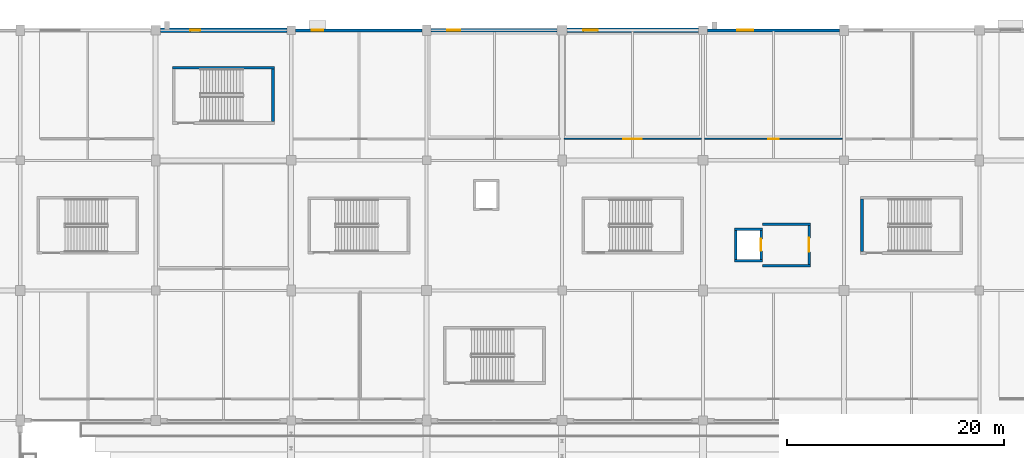
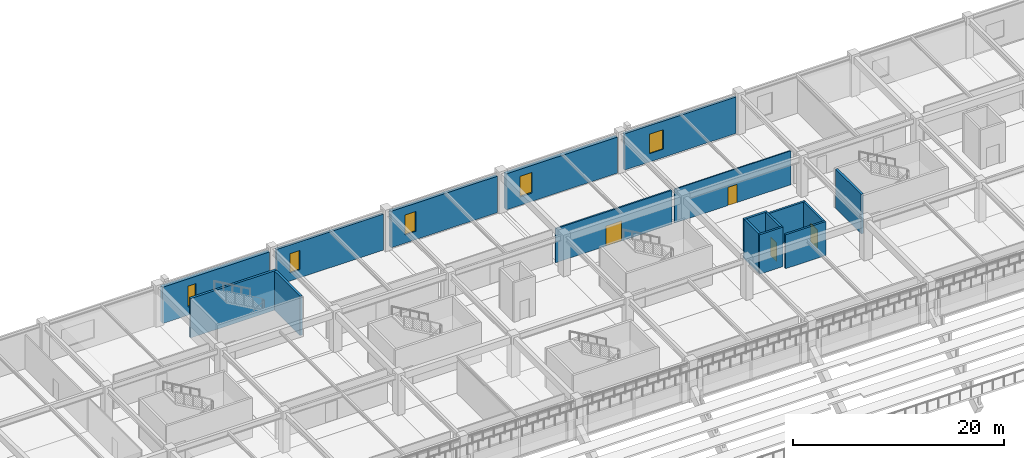
# One storey, part 90 of 134: 17 walls, 5 windows, 4 doors, 9 openings.
"""IFC4 building model written with IfcOpenShell, lengths in metres."""

from ifc_helpers import new_model, si_unit, direction, frame, frame_2d, origin, place, context, subcontext, project, spatial, rectangle, extrude, material, layer, layer_set, type_object, element, fill, save


model = new_model("IFC4")

# Units and contexts
model_context = context("Model", 3, precision=1e-05, world=origin(), true_north=direction((0.0, 1.0)))
body_context = subcontext(model_context, "Body", "Model", "MODEL_VIEW")
ifc_project = project(units=[si_unit("LENGTHUNIT", "METRE"), si_unit("AREAUNIT", "SQUARE_METRE"), si_unit("VOLUMEUNIT", "CUBIC_METRE"), si_unit("PLANEANGLEUNIT", "RADIAN"), si_unit("MASSUNIT", "GRAM", prefix="KILO")], contexts=[model_context])

# Site, building, storey
site_placement = place(None, origin())
site = spatial("IfcSite", under=ifc_project, at=site_placement, CompositionType="ELEMENT")
building_placement = place(site_placement, origin())
building = spatial("IfcBuilding", under=site, at=building_placement, Name="Kazenohara Klinker Stadium", CompositionType="ELEMENT")
storey_placement = place(building_placement, frame((0.0, 0.0, 5.39990234375)))
storey = spatial("IfcBuildingStorey", under=building, at=storey_placement, Name="L01", CompositionType="ELEMENT", Elevation=5.39990234375)

# Walls
ifc_material_1 = material(Name="Concrete C40/50", Category="concrete")
ifc_layer_1 = layer(ifc_material_1, 0.22998046875)
ifc_layer_set_1 = layer_set([ifc_layer_1], Name="Concrete C40/50")
wall_type_1 = type_object("IfcWallType", Name="WAL-CORE-230", PredefinedType="SHEAR", material=ifc_layer_set_1)
for number, where, z_axis, x_axis, name in (
    (1, (114.919921875, 146.735107421875, 0.0), (0.0, 0.0, 1.0), (1.0, 0.0, 0.0), "Elevator shaft wall LF04 L01 South"),
    (2, (114.919921875, 149.6650390625, 0.0), (0.0, 0.0, 1.0), (1.0, 0.0, 0.0), "Elevator shaft wall LF04 L01 North"),
):
    element("IfcWall", number, at=place(storey_placement, frame(where, z_axis=z_axis, x_axis=x_axis)), inside=storey, type_object=wall_type_1, Name=name, PredefinedType="SHEAR", context=body_context, shape_type="SweptSolid", body=[
        extrude(rectangle(XDim=2.56005859375, YDim=0.22998046875, at=frame_2d((1.280029296875, 0.0))), origin(), (0.0, 0.0, 1.0), 4.550048828125),
    ])
wall_1_placement = place(storey_placement, frame((115.034912109375, 146.85009765625, 0.0), z_axis=(0.0, 0.0, 1.0), x_axis=(0.0, 1.0, 0.0)))
element("IfcWall", 3, at=wall_1_placement, inside=storey, type_object=wall_type_1, Name="Elevator shaft wall LF04 L01 West", PredefinedType="SHEAR", context=body_context, shape_type="SweptSolid", body=[
    extrude(rectangle(XDim=2.699951171875, YDim=0.22998046875, at=frame_2d((1.35009765625, 0.0))), origin(), (0.0, 0.0, 1.0), 4.550048828125),
])

# Wall, opening, door
wall_2_placement = place(storey_placement, frame((117.364990234375, 146.85009765625, 0.0), z_axis=(0.0, 0.0, 1.0), x_axis=(0.0, 1.0, 0.0)))
wall_2 = element("IfcWall", 4, at=wall_2_placement, inside=storey, type_object=wall_type_1, Name="Elevator shaft wall LF04 L01 East", PredefinedType="SHEAR", context=body_context, shape_type="SweptSolid", body=[
    extrude(rectangle(XDim=2.699951171875, YDim=0.22998046875, at=frame_2d((1.35009765625, 0.0))), origin(), (0.0, 0.0, 1.0), 4.550048828125),
])
opening_1_placement = place(wall_2_placement, frame((0.800048828125, 0.0, 0.0)))
opening_1 = element("IfcOpeningElement", 5, at=opening_1_placement, cuts=wall_2, Name="Opening LD01", PredefinedType="OPENING", context=body_context, shape_type="SweptSolid", body=[
    extrude(rectangle(XDim=1.10009765625, YDim=2.14990234375, at=frame_2d((0.550048828125, 1.074951171875))), frame((0.0, 0.125, 0.0), z_axis=(0.0, -1.0, 0.0), x_axis=(1.0, 0.0, 0.0)), (0.0, 0.0, 1.0), 0.25),
])
ifc_material_2 = material(Name="Stainless steel fire-rated sliding landing door", Category="steel")
door_type_1 = type_object("IfcDoorType", Name="DR-LD01-1100x2150", OperationType="NOTDEFINED", PredefinedType="DOOR", material=ifc_material_2)
door_1_placement = place(opening_1_placement, origin())
door_1 = element("IfcDoor", 6, at=door_1_placement, inside=storey, type_object=door_type_1, Name="Elevator sliding landing door LF04-L01", OperationType="DOUBLE_DOOR_SLIDING", OverallHeight=2.14990234375, OverallWidth=1.10009765625, PredefinedType="DOOR", context=body_context, shape_type="SweptSolid", body=[
    extrude(rectangle(XDim=1.10009765625, YDim=2.14990234375, at=frame_2d((0.550048828125, 1.074951171875))), frame((0.0, 0.02490234375, 0.0), z_axis=(0.0, -1.0, 0.0), x_axis=(1.0, 0.0, 0.0)), (0.0, 0.0, 1.0), 0.050048828125),
])
fill(opening_1, door_1)

# Walls
ifc_layer_2 = layer(ifc_material_1, 0.25)
ifc_layer_set_2 = layer_set([ifc_layer_2], Name="Concrete C40/50")
wall_type_2 = type_object("IfcWallType", Name="WAL-CORE-250", PredefinedType="SHEAR", material=ifc_layer_set_2)
wall_3_placement = place(storey_placement, frame((126.675048828125, 147.580078125, 0.0), z_axis=(0.0, 0.0, 1.0), x_axis=(0.0, 1.0, 0.0)))
element("IfcWall", 7, at=wall_3_placement, inside=storey, type_object=wall_type_2, Name="Stairwell shear wall ST11 L01 West", PredefinedType="SHEAR", context=body_context, shape_type="SweptSolid", body=[
    extrude(rectangle(XDim=4.83984375, YDim=0.25, at=frame_2d((2.419921875, 0.0))), origin(), (0.0, 0.0, 1.0), 4.550048828125),
])
wall_4_placement = place(storey_placement, frame((63.050048828125, 164.544921875, 0.0), z_axis=(0.0, 0.0, 1.0), x_axis=(1.0, 0.0, 0.0)))
element("IfcWall", 8, at=wall_4_placement, inside=storey, type_object=wall_type_2, Name="Stairwell shear wall ST15 L01 North", PredefinedType="SHEAR", context=body_context, shape_type="SweptSolid", body=[
    extrude(rectangle(XDim=9.39990234375, YDim=0.25, at=frame_2d((4.699951171875, 0.0))), origin(), (0.0, 0.0, 1.0), 4.550048828125),
])
wall_5_placement = place(storey_placement, frame((72.324951171875, 159.580078125, 0.0), z_axis=(0.0, 0.0, 1.0), x_axis=(0.0, 1.0, 0.0)))
element("IfcWall", 9, at=wall_5_placement, inside=storey, type_object=wall_type_2, Name="Stairwell shear wall ST15 L01 East", PredefinedType="SHEAR", context=body_context, shape_type="SweptSolid", body=[
    extrude(rectangle(XDim=4.83984375, YDim=0.25, at=frame_2d((2.419921875, 0.0))), origin(), (0.0, 0.0, 1.0), 4.550048828125),
])

# Wall, opening, window
ifc_material_3 = material(Name="Clinker brick masonry", Category="masonry")
ifc_layer_3 = layer(ifc_material_3, 0.280029296875)
ifc_layer_set_3 = layer_set([ifc_layer_3], Name="Clinker brick masonry")
wall_type_3 = type_object("IfcWallType", Name="WAL-EXT-CB280", PredefinedType="SOLIDWALL", material=ifc_layer_set_3)
wall_6_placement = place(storey_placement, frame((74.404052734375, 168.0, 0.0), z_axis=(0.0, 0.0, 1.0), x_axis=(1.0, 0.0, 0.0)))
wall_6 = element("IfcWall", 10, at=wall_6_placement, inside=storey, type_object=wall_type_3, Name="Clinker brick cavity wall EW06 L01 X6-14", PredefinedType="SOLIDWALL", context=body_context, shape_type="SweptSolid", body=[
    extrude(rectangle(XDim=11.69189453125, YDim=0.280029296875, at=frame_2d((5.845947265625, 0.0))), origin(), (0.0, 0.0, 1.0), 4.150146484375),
])
opening_2_placement = place(wall_6_placement, frame((1.5, 0.0, 0.949951171875)))
opening_2 = element("IfcOpeningElement", 11, at=opening_2_placement, cuts=wall_6, Name="Opening W04", PredefinedType="OPENING", context=body_context, shape_type="SweptSolid", body=[
    extrude(rectangle(XDim=1.050048828125, YDim=2.199951171875, at=frame_2d((0.52490234375, 1.10009765625))), frame((0.0, 0.14990234375, 0.0), z_axis=(0.0, -1.0, 0.0), x_axis=(1.0, 0.0, 0.0)), (0.0, 0.0, 1.0), 0.300048828125),
])
ifc_material_4 = material(Name="Dark bronze aluminium frame and triple glazing", Category="aluminium")
window_type_1 = type_object("IfcWindowType", Name="WIN-AS-04", PartitioningType="SINGLE_PANEL", PredefinedType="WINDOW", material=ifc_material_4)
window_1_placement = place(opening_2_placement, origin())
window_1 = element("IfcWindow", 12, at=window_1_placement, inside=storey, type_object=window_type_1, Name="Horizontal-mullion ladder window W04 L01 X6-14", OverallHeight=2.199951171875, OverallWidth=1.050048828125, PartitioningType="SINGLE_PANEL", PredefinedType="WINDOW", context=body_context, shape_type="SweptSolid", body=[
    extrude(rectangle(XDim=1.050048828125, YDim=2.199951171875, at=frame_2d((0.52490234375, 1.10009765625))), frame((0.0, 0.030029296875, 0.0), z_axis=(0.0, -1.0, 0.0), x_axis=(1.0, 0.0, 0.0)), (0.0, 0.0, 1.0), 0.06005859375),
])
fill(opening_2, window_1)

wall_7_placement = place(storey_placement, frame((112.404052734375, 168.0, 0.0), z_axis=(0.0, 0.0, 1.0), x_axis=(1.0, 0.0, 0.0)))
wall_7 = element("IfcWall", 13, at=wall_7_placement, inside=storey, type_object=wall_type_3, Name="Clinker brick cavity wall EW06 L01 X9-14", PredefinedType="SOLIDWALL", context=body_context, shape_type="SweptSolid", body=[
    extrude(rectangle(XDim=12.19189453125, YDim=0.280029296875, at=frame_2d((6.095947265625, 0.0))), origin(), (0.0, 0.0, 1.0), 4.2001953125),
])
opening_3_placement = place(wall_7_placement, frame((2.75, 0.0, 0.949951171875)))
opening_3 = element("IfcOpeningElement", 14, at=opening_3_placement, cuts=wall_7, Name="Opening W10", PredefinedType="OPENING", context=body_context, shape_type="SweptSolid", body=[
    extrude(rectangle(XDim=1.5, YDim=2.25, at=frame_2d((0.75, 1.125))), frame((0.0, 0.14990234375, 0.0), z_axis=(0.0, -1.0, 0.0), x_axis=(1.0, 0.0, 0.0)), (0.0, 0.0, 1.0), 0.300048828125),
])
window_type_2 = type_object("IfcWindowType", Name="WIN-AS-10", PartitioningType="SINGLE_PANEL", PredefinedType="WINDOW", material=ifc_material_4)
window_2_placement = place(opening_3_placement, origin())
window_2 = element("IfcWindow", 15, at=window_2_placement, inside=storey, type_object=window_type_2, Name="Horizontal-mullion ladder window W10 L01 X9-14", OverallHeight=2.25, OverallWidth=1.5, PartitioningType="SINGLE_PANEL", PredefinedType="WINDOW", context=body_context, shape_type="SweptSolid", body=[
    extrude(rectangle(XDim=1.5, YDim=2.25, at=frame_2d((0.75, 1.125))), frame((0.0, 0.030029296875, 0.0), z_axis=(0.0, -1.0, 0.0), x_axis=(1.0, 0.0, 0.0)), (0.0, 0.0, 1.0), 0.06005859375),
])
fill(opening_3, window_2)

ifc_layer_4 = layer(ifc_material_3, 0.340087890625)
ifc_layer_set_4 = layer_set([ifc_layer_4], Name="Clinker brick masonry")
wall_type_4 = type_object("IfcWallType", Name="WAL-EXT-CB340", PredefinedType="SOLIDWALL", material=ifc_layer_set_4)
wall_8_placement = place(storey_placement, frame((86.904052734375, 168.0, 0.0), z_axis=(0.0, 0.0, 1.0), x_axis=(1.0, 0.0, 0.0)))
wall_8 = element("IfcWall", 16, at=wall_8_placement, inside=storey, type_object=wall_type_4, Name="Clinker brick cavity wall EW04 L01 X7-14", PredefinedType="SOLIDWALL", context=body_context, shape_type="SweptSolid", body=[
    extrude(rectangle(XDim=11.641845703125, YDim=0.340087890625, at=frame_2d((5.82080078125, 0.0))), origin(), (0.0, 0.0, 1.0), 4.2001953125),
])
opening_4_placement = place(wall_8_placement, frame((1.5, 0.0, 0.949951171875)))
opening_4 = element("IfcOpeningElement", 17, at=opening_4_placement, cuts=wall_8, Name="Opening W06", PredefinedType="OPENING", context=body_context, shape_type="SweptSolid", body=[
    extrude(rectangle(XDim=1.199951171875, YDim=2.300048828125, at=frame_2d((0.60009765625, 1.14990234375))), frame((0.0, 0.18017578125, 0.0), z_axis=(0.0, -1.0, 0.0), x_axis=(1.0, 0.0, 0.0)), (0.0, 0.0, 1.0), 0.360107421875),
])
window_type_3 = type_object("IfcWindowType", Name="WIN-AS-06", PartitioningType="SINGLE_PANEL", PredefinedType="WINDOW", material=ifc_material_4)
window_3_placement = place(opening_4_placement, origin())
window_3 = element("IfcWindow", 18, at=window_3_placement, inside=storey, type_object=window_type_3, Name="Horizontal-mullion ladder window W06 L01 X7-14", OverallHeight=2.300048828125, OverallWidth=1.199951171875, PartitioningType="SINGLE_PANEL", PredefinedType="WINDOW", context=body_context, shape_type="SweptSolid", body=[
    extrude(rectangle(XDim=1.199951171875, YDim=2.300048828125, at=frame_2d((0.60009765625, 1.14990234375))), frame((0.0, 0.030029296875, 0.0), z_axis=(0.0, -1.0, 0.0), x_axis=(1.0, 0.0, 0.0)), (0.0, 0.0, 1.0), 0.06005859375),
])
fill(opening_4, window_3)

ifc_layer_5 = layer(ifc_material_3, 0.409912109375)
ifc_layer_set_5 = layer_set([ifc_layer_5], Name="Clinker brick masonry")
wall_type_5 = type_object("IfcWallType", Name="WAL-EXT-CB410", PredefinedType="SOLIDWALL", material=ifc_layer_set_5)
wall_9_placement = place(storey_placement, frame((61.9541015625, 168.0, 0.0), z_axis=(0.0, 0.0, 1.0), x_axis=(1.0, 0.0, 0.0)))
wall_9 = element("IfcWall", 19, at=wall_9_placement, inside=storey, type_object=wall_type_5, Name="Clinker brick cavity wall EW02 L01 X5-14", PredefinedType="SOLIDWALL", context=body_context, shape_type="SweptSolid", body=[
    extrude(rectangle(XDim=11.641845703125, YDim=0.409912109375, at=frame_2d((5.82080078125, 0.0))), origin(), (0.0, 0.0, 1.0), 4.2001953125),
])
opening_5_placement = place(wall_9_placement, frame((2.75, 0.0, 0.949951171875)))
opening_5 = element("IfcOpeningElement", 20, at=opening_5_placement, cuts=wall_9, Name="Opening W02", PredefinedType="OPENING", context=body_context, shape_type="SweptSolid", body=[
    extrude(rectangle(XDim=0.89990234375, YDim=2.39990234375, at=frame_2d((0.449951171875, 1.199951171875))), frame((0.0, 0.21484375, 0.0), z_axis=(0.0, -1.0, 0.0), x_axis=(1.0, 0.0, 0.0)), (0.0, 0.0, 1.0), 0.429931640625),
])
window_type_4 = type_object("IfcWindowType", Name="WIN-AS-02", PartitioningType="SINGLE_PANEL", PredefinedType="WINDOW", material=ifc_material_4)
window_4_placement = place(opening_5_placement, origin())
window_4 = element("IfcWindow", 21, at=window_4_placement, inside=storey, type_object=window_type_4, Name="Horizontal-mullion ladder window W02 L01 X5-14", OverallHeight=2.39990234375, OverallWidth=0.89990234375, PartitioningType="SINGLE_PANEL", PredefinedType="WINDOW", context=body_context, shape_type="SweptSolid", body=[
    extrude(rectangle(XDim=0.89990234375, YDim=2.39990234375, at=frame_2d((0.449951171875, 1.199951171875))), frame((0.0, 0.030029296875, 0.0), z_axis=(0.0, -1.0, 0.0), x_axis=(1.0, 0.0, 0.0)), (0.0, 0.0, 1.0), 0.06005859375),
])
fill(opening_5, window_4)

wall_10_placement = place(storey_placement, frame((99.4541015625, 168.0, 0.0), z_axis=(0.0, 0.0, 1.0), x_axis=(1.0, 0.0, 0.0)))
wall_10 = element("IfcWall", 22, at=wall_10_placement, inside=storey, type_object=wall_type_5, Name="Clinker brick cavity wall EW02 L01 X8-14", PredefinedType="SOLIDWALL", context=body_context, shape_type="SweptSolid", body=[
    extrude(rectangle(XDim=12.141845703125, YDim=0.409912109375, at=frame_2d((6.07080078125, 0.0))), origin(), (0.0, 0.0, 1.0), 4.150146484375),
])
opening_6_placement = place(wall_10_placement, frame((1.5, 0.0, 0.949951171875)))
opening_6 = element("IfcOpeningElement", 23, at=opening_6_placement, cuts=wall_10, Name="Opening W08", PredefinedType="OPENING", context=body_context, shape_type="SweptSolid", body=[
    extrude(rectangle(XDim=1.35009765625, YDim=2.39990234375, at=frame_2d((0.675048828125, 1.199951171875))), frame((0.0, 0.21484375, 0.0), z_axis=(0.0, -1.0, 0.0), x_axis=(1.0, 0.0, 0.0)), (0.0, 0.0, 1.0), 0.429931640625),
])
window_type_5 = type_object("IfcWindowType", Name="WIN-AS-08", PartitioningType="SINGLE_PANEL", PredefinedType="WINDOW", material=ifc_material_4)
window_5_placement = place(opening_6_placement, origin())
window_5 = element("IfcWindow", 24, at=window_5_placement, inside=storey, type_object=window_type_5, Name="Horizontal-mullion ladder window W08 L01 X8-14", OverallHeight=2.39990234375, OverallWidth=1.35009765625, PartitioningType="SINGLE_PANEL", PredefinedType="WINDOW", context=body_context, shape_type="SweptSolid", body=[
    extrude(rectangle(XDim=1.35009765625, YDim=2.39990234375, at=frame_2d((0.675048828125, 1.199951171875))), frame((0.0, 0.030029296875, 0.0), z_axis=(0.0, -1.0, 0.0), x_axis=(1.0, 0.0, 0.0)), (0.0, 0.0, 1.0), 0.06005859375),
])
fill(opening_6, window_5)

# Walls
ifc_layer_6 = layer(ifc_material_1, 0.219970703125)
ifc_layer_set_6 = layer_set([ifc_layer_6], Name="Concrete C40/50")
wall_type_6 = type_object("IfcWallType", Name="WAL-INT-FF220", PredefinedType="SOLIDWALL", material=ifc_layer_set_6)
for number, where, z_axis, x_axis, name in (
    (25, (117.47998046875, 146.2900390625, 0.0), (0.0, 0.0, 1.0), (1.0, 0.0, 0.0), "Firefighting lobby wall LF04 L01 South"),
    (26, (117.47998046875, 150.110107421875, 0.0), (0.0, 0.0, 1.0), (1.0, 0.0, 0.0), "Firefighting lobby wall LF04 L01 North"),
):
    element("IfcWall", number, at=place(storey_placement, frame(where, z_axis=z_axis, x_axis=x_axis)), inside=storey, type_object=wall_type_6, Name=name, PredefinedType="SOLIDWALL", context=body_context, shape_type="SweptSolid", body=[
        extrude(rectangle(XDim=4.419921875, YDim=0.219970703125, at=frame_2d((2.2099609375, 0.0))), origin(), (0.0, 0.0, 1.0), 3.920166015625),
    ])

# Wall, opening, door
wall_11_placement = place(storey_placement, frame((121.7900390625, 146.39990234375, 0.0), z_axis=(0.0, 0.0, 1.0), x_axis=(0.0, 1.0, 0.0)))
wall_11 = element("IfcWall", 27, at=wall_11_placement, inside=storey, type_object=wall_type_6, Name="Firefighting lobby front wall LF04 L01", PredefinedType="SOLIDWALL", context=body_context, shape_type="SweptSolid", body=[
    extrude(rectangle(XDim=3.60009765625, YDim=0.219970703125, at=frame_2d((1.800048828125, 0.0))), origin(), (0.0, 0.0, 1.0), 3.920166015625),
])
opening_7_placement = place(wall_11_placement, frame((1.14990234375, 0.0, 0.0)))
opening_7 = element("IfcOpeningElement", 28, at=opening_7_placement, cuts=wall_11, Name="Opening FD01", PredefinedType="OPENING", context=body_context, shape_type="SweptSolid", body=[
    extrude(rectangle(XDim=1.300048828125, YDim=2.14990234375, at=frame_2d((0.64990234375, 1.074951171875))), frame((0.0, 0.1201171875, 0.0), z_axis=(0.0, -1.0, 0.0), x_axis=(1.0, 0.0, 0.0)), (0.0, 0.0, 1.0), 0.239990234375),
])
ifc_material_5 = material(Name="Smoke-sealed steel fire lobby door", Category="steel")
door_type_2 = type_object("IfcDoorType", Name="DR-FFL-1300x2150", OperationType="NOTDEFINED", PredefinedType="DOOR", material=ifc_material_5)
door_2_placement = place(opening_7_placement, origin())
door_2 = element("IfcDoor", 29, at=door_2_placement, inside=storey, type_object=door_type_2, Name="Firefighting lobby smoke-sealed door LF04-L01", OperationType="SINGLE_SWING_RIGHT", OverallHeight=2.14990234375, OverallWidth=1.300048828125, PredefinedType="DOOR", context=body_context, shape_type="SweptSolid", body=[
    extrude(rectangle(XDim=1.300048828125, YDim=2.14990234375, at=frame_2d((0.64990234375, 1.074951171875))), frame((0.0, 0.02490234375, 0.0), z_axis=(0.0, -1.0, 0.0), x_axis=(1.0, 0.0, 0.0)), (0.0, 0.0, 1.0), 0.050048828125),
])
fill(opening_7, door_2)

ifc_material_6 = material(Name="Fire-rated gypsum board on acoustic studs", Category="gypsum")
ifc_layer_7 = layer(ifc_material_6, 0.1201171875)
ifc_layer_set_7 = layer_set([ifc_layer_7], Name="Fire-rated gypsum board on acoustic studs")
wall_type_7 = type_object("IfcWallType", Name="WAL-INT-P120", PredefinedType="PARTITIONING", material=ifc_layer_set_7)
wall_12_placement = place(storey_placement, frame((112.159912109375, 157.989990234375, 0.0), z_axis=(0.0, 0.0, 1.0), x_axis=(1.0, 0.0, 0.0)))
wall_12 = element("IfcWall", 30, at=wall_12_placement, inside=storey, type_object=wall_type_7, Name="Interior partition wall PT02 SPC-L01-09-13-1-1", PredefinedType="PARTITIONING", context=body_context, shape_type="SweptSolid", body=[
    extrude(rectangle(XDim=12.68017578125, YDim=0.1201171875, at=frame_2d((6.340087890625, 0.0))), origin(), (0.0, 0.0, 1.0), 3.920166015625),
])
opening_8_placement = place(wall_12_placement, frame((5.85009765625, 0.0, 0.0)))
opening_8 = element("IfcOpeningElement", 31, at=opening_8_placement, cuts=wall_12, Name="Opening ID04", PredefinedType="OPENING", context=body_context, shape_type="SweptSolid", body=[
    extrude(rectangle(XDim=0.97998046875, YDim=2.10009765625, at=frame_2d((0.489990234375, 1.050048828125))), frame((0.0, 0.070068359375, 0.0), z_axis=(0.0, -1.0, 0.0), x_axis=(1.0, 0.0, 0.0)), (0.0, 0.0, 1.0), 0.14013671875),
])
ifc_material_7 = material(Name="Solid-core Hokkaido oak fire door", Category="wood")
door_type_3 = type_object("IfcDoorType", Name="DR-INT-04", OperationType="NOTDEFINED", PredefinedType="DOOR", material=ifc_material_7)
door_3_placement = place(opening_8_placement, origin())
door_3 = element("IfcDoor", 32, at=door_3_placement, inside=storey, type_object=door_type_3, Name="Interior door ID04 Spectator First-Aid Medical Clinic L01-0913A", OperationType="SINGLE_SWING_LEFT", OverallHeight=2.10009765625, OverallWidth=0.97998046875, PredefinedType="DOOR", context=body_context, shape_type="SweptSolid", body=[
    extrude(rectangle(XDim=0.97998046875, YDim=2.10009765625, at=frame_2d((0.489990234375, 1.050048828125))), frame((0.0, 0.02490234375, 0.0), z_axis=(0.0, -1.0, 0.0), x_axis=(1.0, 0.0, 0.0)), (0.0, 0.0, 1.0), 0.050048828125),
])
fill(opening_8, door_3)

ifc_layer_8 = layer(ifc_material_6, 0.169921875)
ifc_layer_set_8 = layer_set([ifc_layer_8], Name="Fire-rated gypsum board on acoustic studs")
wall_type_8 = type_object("IfcWallType", Name="WAL-INT-P170", PredefinedType="PARTITIONING", material=ifc_layer_set_8)
wall_13_placement = place(storey_placement, frame((99.159912109375, 157.989990234375, 0.0), z_axis=(0.0, 0.0, 1.0), x_axis=(1.0, 0.0, 0.0)))
wall_13 = element("IfcWall", 33, at=wall_13_placement, inside=storey, type_object=wall_type_8, Name="Interior partition wall PT05 SPC-L01-08-13-1-1", PredefinedType="PARTITIONING", context=body_context, shape_type="SweptSolid", body=[
    extrude(rectangle(XDim=12.68017578125, YDim=0.169921875, at=frame_2d((6.340087890625, 0.0))), origin(), (0.0, 0.0, 1.0), 3.920166015625),
])
opening_9_placement = place(wall_13_placement, frame((5.489990234375, 0.0, 0.0)))
opening_9 = element("IfcOpeningElement", 34, at=opening_9_placement, cuts=wall_13, Name="Opening ID25", PredefinedType="OPENING", context=body_context, shape_type="SweptSolid", body=[
    extrude(rectangle(XDim=1.699951171875, YDim=2.320068359375, at=frame_2d((0.85009765625, 1.16015625))), frame((0.0, 0.094970703125, 0.0), z_axis=(0.0, -1.0, 0.0), x_axis=(1.0, 0.0, 0.0)), (0.0, 0.0, 1.0), 0.18994140625),
])
ifc_material_8 = material(Name="Painted steel plant fire door", Category="steel")
door_type_4 = type_object("IfcDoorType", Name="DR-INT-25", OperationType="NOTDEFINED", PredefinedType="DOOR", material=ifc_material_8)
door_4_placement = place(opening_9_placement, origin())
door_4 = element("IfcDoor", 35, at=door_4_placement, inside=storey, type_object=door_type_4, Name="Interior door ID25 Supporter Scarf and Jersey Retail Shop L01-0813A", OperationType="SINGLE_SWING_RIGHT", OverallHeight=2.320068359375, OverallWidth=1.699951171875, PredefinedType="DOOR", context=body_context, shape_type="SweptSolid", body=[
    extrude(rectangle(XDim=1.699951171875, YDim=2.320068359375, at=frame_2d((0.85009765625, 1.16015625))), frame((0.0, 0.02490234375, 0.0), z_axis=(0.0, -1.0, 0.0), x_axis=(1.0, 0.0, 0.0)), (0.0, 0.0, 1.0), 0.050048828125),
])
fill(opening_9, door_4)

save(model, "model.ifc")
